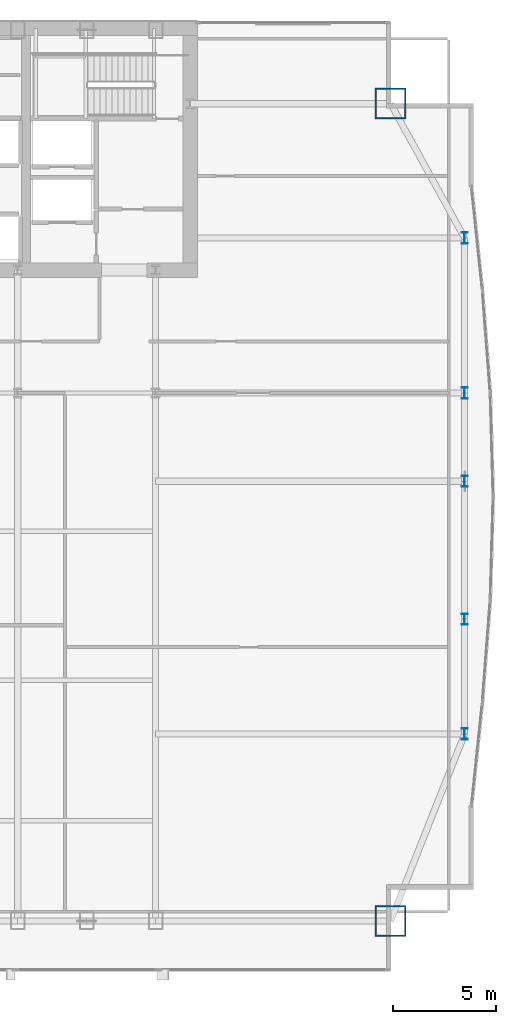
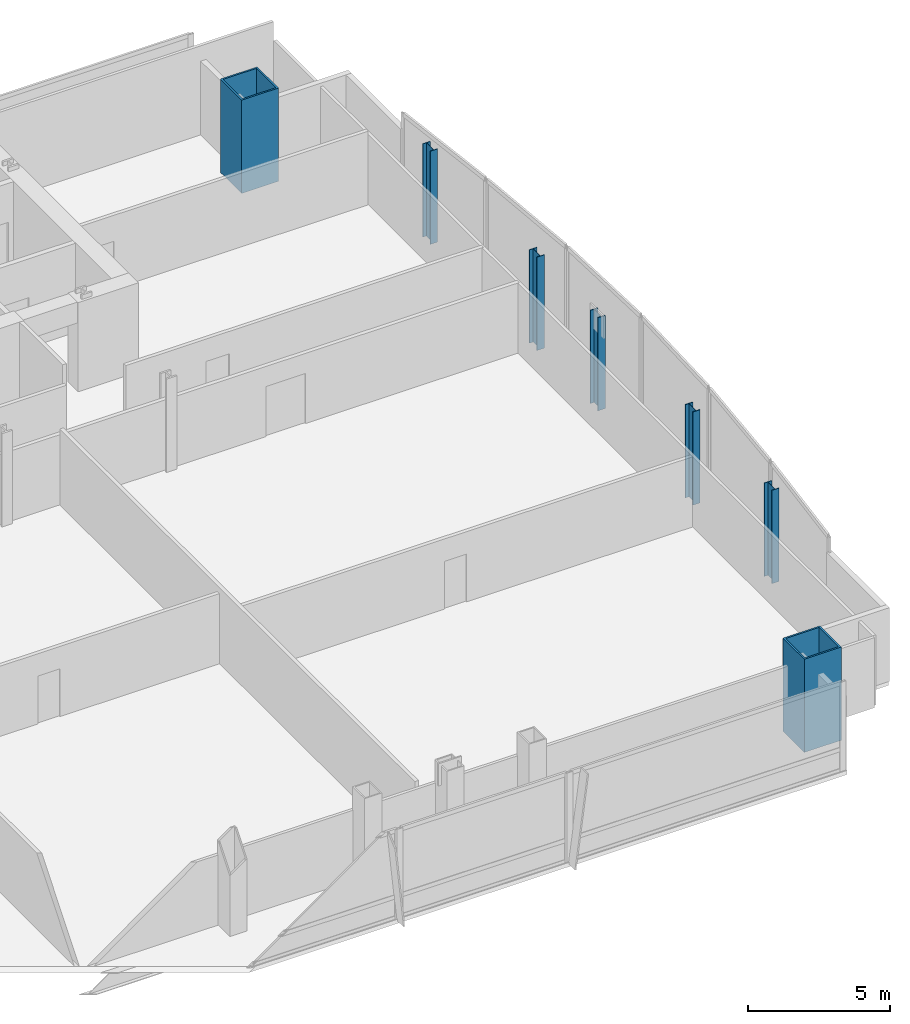
# One storey, part 4 of 30: 7 columns.
"""IFC4 building model written with IfcOpenShell, lengths in metres."""

from ifc_helpers import new_model, si_unit, direction, frame, origin, origin_2d, place, context, subcontext, project, spatial, hollow_rectangle, i_section, extrude, material, material_profile, profile_set, type_object, element, save


model = new_model("IFC4")

# Units and contexts
model_context = context("Model", 3, precision=1e-05, world=origin(), true_north=direction((0.0, 1.0)))
body_context = subcontext(model_context, "Body", "Model", "MODEL_VIEW")
ifc_project = project(units=[si_unit("LENGTHUNIT", "METRE"), si_unit("AREAUNIT", "SQUARE_METRE"), si_unit("VOLUMEUNIT", "CUBIC_METRE"), si_unit("PLANEANGLEUNIT", "RADIAN"), si_unit("MASSUNIT", "GRAM", prefix="KILO")], contexts=[model_context])

# Site, building, storey
site_placement = place(None, origin())
site = spatial("IfcSite", under=ifc_project, at=site_placement, CompositionType="ELEMENT")
building_placement = place(site_placement, origin())
building = spatial("IfcBuilding", under=site, at=building_placement, Name="Khoronbel Lancet Exchange", CompositionType="ELEMENT")
storey_placement = place(building_placement, frame((0.0, 0.0, 90.60009765625)))
storey = spatial("IfcBuildingStorey", under=building, at=storey_placement, Name="L21", CompositionType="ELEMENT", Elevation=90.60009765625)

# Columns
ifc_material_1 = material(Name="Steel S355", Category="steel")
ifc_material_profile_1 = material_profile(ifc_material_1, i_section(OverallWidth=0.300048828125, OverallDepth=0.550048828125, WebThickness=0.014892578125, FlangeThickness=0.029052734375, at=origin_2d()), Name="HEB 550")
ifc_profile_set_1 = profile_set([ifc_material_profile_1], Name="Steel S355")
column_type_1 = type_object("IfcColumnType", Name="COL-LC1", PredefinedType="COLUMN", material=ifc_profile_set_1)
for number, where, z_axis, x_axis, name in (
    (1, (69.6298828125, 19.199951171875, 0.0), (0.0, 0.0, 1.0), (1.0, 0.0, 0.0), "Structural column EC-1 L21"),
    (2, (69.6298828125, 24.75, 0.0), (0.0, 0.0, 1.0), (1.0, 0.0, 0.0), "Structural column EC-2 L21"),
    (3, (69.6298828125, 31.425048828125, 0.0), (0.0, 0.0, 1.0), (1.0, 0.0, 0.0), "Structural column EC-M L21"),
    (4, (69.6298828125, 35.699951171875, 0.0), (0.0, 0.0, 1.0), (1.0, 0.0, 0.0), "Structural column EC-3 L21"),
    (5, (69.6298828125, 43.199951171875, 0.0), (0.0, 0.0, 1.0), (1.0, 0.0, 0.0), "Structural column EC-4 L21"),
):
    element("IfcColumn", number, at=place(storey_placement, frame(where, z_axis=z_axis, x_axis=x_axis)), inside=storey, type_object=column_type_1, Name=name, PredefinedType="COLUMN", context=body_context, shape_type="SweptSolid", body=[
        extrude(i_section(OverallWidth=0.300048828125, OverallDepth=0.550048828125, WebThickness=0.014892578125, FlangeThickness=0.029052734375, at=origin_2d()), origin(), (0.0, 0.0, 1.0), 4.0),
    ])
ifc_material_2 = material(Name="Steel S460", Category="steel")
ifc_material_profile_2 = material_profile(ifc_material_2, hollow_rectangle(XDim=1.5, YDim=1.5, WallThickness=0.070068359375, at=origin_2d()), Name="BOX 1500x1500x70")
ifc_profile_set_2 = profile_set([ifc_material_profile_2], Name="Steel S460")
column_type_2 = type_object("IfcColumnType", Name="COL-MC3", PredefinedType="COLUMN", material=ifc_profile_set_2)
for number, where, z_axis, x_axis, name in (
    (6, (66.050048828125, 10.14990234375, 0.0), (0.0, 0.0, 1.0), (1.0, 0.0, 0.0), "Structural column MC-SE L21"),
    (7, (66.050048828125, 49.699951171875, 0.0), (0.0, 0.0, 1.0), (1.0, 0.0, 0.0), "Structural column MC-NE L21"),
):
    element("IfcColumn", number, at=place(storey_placement, frame(where, z_axis=z_axis, x_axis=x_axis)), inside=storey, type_object=column_type_2, Name=name, PredefinedType="COLUMN", context=body_context, shape_type="SweptSolid", body=[
        extrude(hollow_rectangle(XDim=1.5, YDim=1.5, WallThickness=0.070068359375, at=origin_2d()), origin(), (0.0, 0.0, 1.0), 4.0),
    ])

save(model, "model.ifc")
